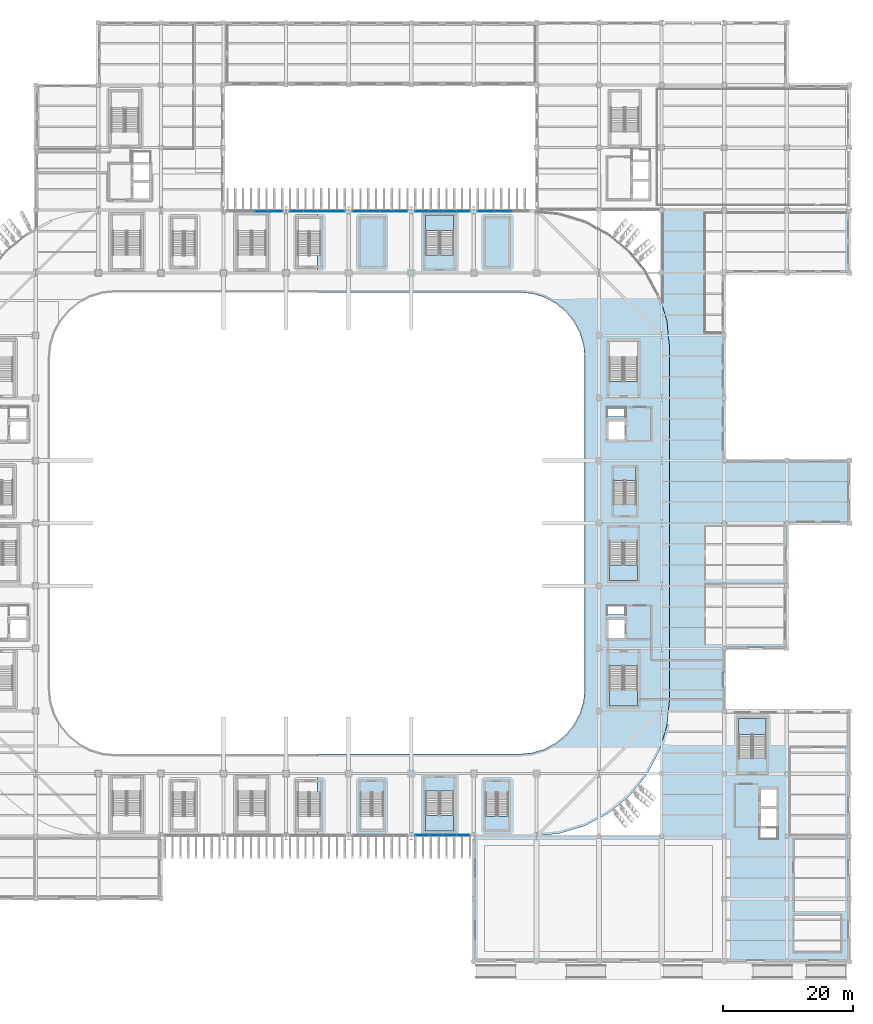
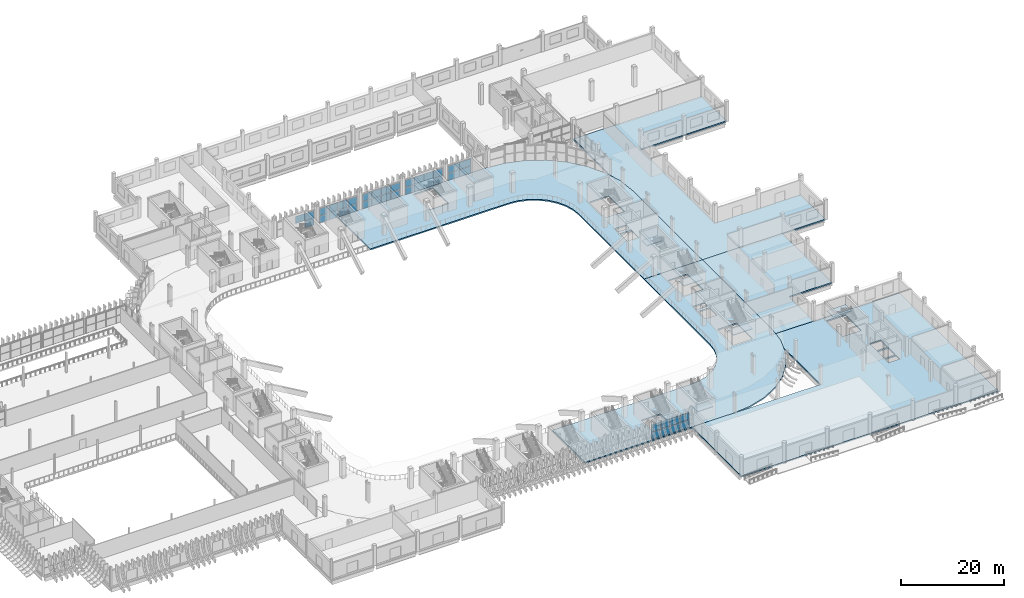
# One storey, part 43 of 100: 39 plates, 12 slabs, 13 elements without a shape of their own.
"""IFC4 building model written with IfcOpenShell, lengths in metres."""

from ifc_helpers import new_model, si_unit, direction, frame, origin, origin_2d, place, context, subcontext, project, spatial, polyline, rectangle, outline, extrude, material, layer, layer_set, type_object, element, aggregate, save


model = new_model("IFC4")

# Units and contexts
model_context = context("Model", 3, precision=1e-05, world=origin(), true_north=direction((0.0, 1.0)))
body_context = subcontext(model_context, "Body", "Model", "MODEL_VIEW")
ifc_project = project(units=[si_unit("LENGTHUNIT", "METRE"), si_unit("AREAUNIT", "SQUARE_METRE"), si_unit("VOLUMEUNIT", "CUBIC_METRE"), si_unit("PLANEANGLEUNIT", "RADIAN"), si_unit("MASSUNIT", "GRAM", prefix="KILO")], contexts=[model_context])

# Site, building, storey
site_placement = place(None, origin())
site = spatial("IfcSite", under=ifc_project, at=site_placement, CompositionType="ELEMENT")
building_placement = place(site_placement, origin())
building = spatial("IfcBuilding", under=site, at=building_placement, Name="Caelomonte Colonnade Arena", CompositionType="ELEMENT")
storey_placement = place(building_placement, origin())
storey = spatial("IfcBuildingStorey", under=building, at=storey_placement, Name="L00", CompositionType="ELEMENT", Elevation=0.0)

# Curtain wall, plates
ifc_material_1 = material(Name="Bronze anodised aluminium and low-E glazing", Category="aluminium")
ifc_layer_1 = layer(ifc_material_1, 0.179931640625)
ifc_layer_set_1 = layer_set([ifc_layer_1], Name="Bronze anodised aluminium and low-E glazing")
curtain_wall_type_1 = type_object("IfcCurtainWallType", Name="ENV-CW-CW-L00-96-36", PredefinedType="USERDEFINED", material=ifc_layer_set_1)
curtain_wall_1_placement = place(storey_placement, origin())
curtain_wall_1 = element("IfcCurtainWall", 1, at=curtain_wall_1_placement, inside=storey, type_object=curtain_wall_type_1, Name="L00 unitized curtain wall CW-L00-1296-0194", ObjectType="UNITIZED CURTAIN WALL", PredefinedType="USERDEFINED")
ifc_material_2 = material(Name="Solar-control bronze low-E double glazing", Category="glass")
ifc_layer_2 = layer(ifc_material_2, 0.028076171875)
ifc_layer_set_2 = layer_set([ifc_layer_2], Name="Solar-control bronze low-E double glazing")
plate_type = type_object("IfcPlateType", Name="ENV-CW-PAN28", PredefinedType="CURTAIN_PANEL", material=ifc_layer_set_2)
plate_1_placement = place(storey_placement, frame((126.423095703125, 19.3798828125, 0.06982421875), z_axis=(0.0, 0.0, 1.0), x_axis=(1.0, 0.0, 0.0)))
plate_1 = element("IfcPlate", 2, at=plate_1_placement, type_object=plate_type, Name="CW-L00-96-36 panel 1.1", PredefinedType="CURTAIN_PANEL", context=body_context, shape_type="SweptSolid", body=[
    extrude(rectangle(XDim=2.024658203125, YDim=0.028076171875, at=origin_2d()), origin(), (0.0, 0.0, 1.0), 1.681396484375),
])
plate_2_placement = place(storey_placement, frame((126.423095703125, 19.3798828125, 1.82177734375), z_axis=(0.0, 0.0, 1.0), x_axis=(1.0, 0.0, 0.0)))
plate_2 = element("IfcPlate", 3, at=plate_2_placement, type_object=plate_type, Name="CW-L00-96-36 panel 1.2", PredefinedType="CURTAIN_PANEL", context=body_context, shape_type="SweptSolid", body=[
    extrude(rectangle(XDim=2.024658203125, YDim=0.028076171875, at=origin_2d()), origin(), (0.0, 0.0, 1.0), 1.681396484375),
])
plate_3_placement = place(storey_placement, frame((128.53515625, 19.3798828125, 0.06982421875), z_axis=(0.0, 0.0, 1.0), x_axis=(1.0, 0.0, 0.0)))
plate_3 = element("IfcPlate", 4, at=plate_3_placement, type_object=plate_type, Name="CW-L00-96-36 panel 2.1", PredefinedType="CURTAIN_PANEL", context=body_context, shape_type="SweptSolid", body=[
    extrude(rectangle(XDim=2.0595703125, YDim=0.028076171875, at=origin_2d()), origin(), (0.0, 0.0, 1.0), 1.681396484375),
])
plate_4_placement = place(storey_placement, frame((128.53515625, 19.3798828125, 1.82177734375), z_axis=(0.0, 0.0, 1.0), x_axis=(1.0, 0.0, 0.0)))
plate_4 = element("IfcPlate", 5, at=plate_4_placement, type_object=plate_type, Name="CW-L00-96-36 panel 2.2", PredefinedType="CURTAIN_PANEL", context=body_context, shape_type="SweptSolid", body=[
    extrude(rectangle(XDim=2.0595703125, YDim=0.028076171875, at=origin_2d()), origin(), (0.0, 0.0, 1.0), 1.681396484375),
])
plate_5_placement = place(storey_placement, frame((130.664794921875, 19.3798828125, 0.06982421875), z_axis=(0.0, 0.0, 1.0), x_axis=(1.0, 0.0, 0.0)))
plate_5 = element("IfcPlate", 6, at=plate_5_placement, type_object=plate_type, Name="CW-L00-96-36 panel 3.1", PredefinedType="CURTAIN_PANEL", context=body_context, shape_type="SweptSolid", body=[
    extrude(rectangle(XDim=2.0595703125, YDim=0.028076171875, at=origin_2d()), origin(), (0.0, 0.0, 1.0), 1.681396484375),
])
plate_6_placement = place(storey_placement, frame((130.664794921875, 19.3798828125, 1.82177734375), z_axis=(0.0, 0.0, 1.0), x_axis=(1.0, 0.0, 0.0)))
plate_6 = element("IfcPlate", 7, at=plate_6_placement, type_object=plate_type, Name="CW-L00-96-36 panel 3.2", PredefinedType="CURTAIN_PANEL", context=body_context, shape_type="SweptSolid", body=[
    extrude(rectangle(XDim=2.0595703125, YDim=0.028076171875, at=origin_2d()), origin(), (0.0, 0.0, 1.0), 1.681396484375),
])
plate_7_placement = place(storey_placement, frame((132.77685546875, 19.3798828125, 0.06982421875), z_axis=(0.0, 0.0, 1.0), x_axis=(1.0, 0.0, 0.0)))
plate_7 = element("IfcPlate", 8, at=plate_7_placement, type_object=plate_type, Name="CW-L00-96-36 panel 4.1", PredefinedType="CURTAIN_PANEL", context=body_context, shape_type="SweptSolid", body=[
    extrude(rectangle(XDim=2.024658203125, YDim=0.028076171875, at=origin_2d()), origin(), (0.0, 0.0, 1.0), 1.681396484375),
])
plate_8_placement = place(storey_placement, frame((132.77685546875, 19.3798828125, 1.82177734375), z_axis=(0.0, 0.0, 1.0), x_axis=(1.0, 0.0, 0.0)))
plate_8 = element("IfcPlate", 9, at=plate_8_placement, type_object=plate_type, Name="CW-L00-96-36 panel 4.2", PredefinedType="CURTAIN_PANEL", context=body_context, shape_type="SweptSolid", body=[
    extrude(rectangle(XDim=2.024658203125, YDim=0.028076171875, at=origin_2d()), origin(), (0.0, 0.0, 1.0), 1.681396484375),
])
aggregate(curtain_wall_1, [plate_1, plate_2, plate_3, plate_4, plate_5, plate_6, plate_7, plate_8])

ifc_layer_3 = layer(ifc_material_1, 0.179931640625)
ifc_layer_set_3 = layer_set([ifc_layer_3], Name="Bronze anodised aluminium and low-E glazing")
curtain_wall_type_2 = type_object("IfcCurtainWallType", Name="ENV-CW-CW-L00-90-36", PredefinedType="USERDEFINED", material=ifc_layer_set_3)
curtain_wall_2_placement = place(storey_placement, origin())
curtain_wall_2 = element("IfcCurtainWall", 10, at=curtain_wall_2_placement, inside=storey, type_object=curtain_wall_type_2, Name="L00 unitized curtain wall CW-L00-1389-1150", ObjectType="UNITIZED CURTAIN WALL", PredefinedType="USERDEFINED")
plate_9_placement = place(storey_placement, frame((138.89990234375, 115.02001953125, 0.06982421875), z_axis=(0.0, 0.0, 1.0), x_axis=(-1.0, 0.0, 0.0)))
plate_9 = element("IfcPlate", 11, at=plate_9_placement, type_object=plate_type, Name="CW-L00-90-36 panel 2.1", PredefinedType="CURTAIN_PANEL", context=body_context, shape_type="SweptSolid", body=[
    extrude(rectangle(XDim=2.569580078125, YDim=0.028076171875, at=origin_2d()), origin(), (0.0, 0.0, 1.0), 1.681396484375),
])
plate_10_placement = place(storey_placement, frame((138.89990234375, 115.02001953125, 1.82177734375), z_axis=(0.0, 0.0, 1.0), x_axis=(-1.0, 0.0, 0.0)))
plate_10 = element("IfcPlate", 12, at=plate_10_placement, type_object=plate_type, Name="CW-L00-90-36 panel 2.2", PredefinedType="CURTAIN_PANEL", context=body_context, shape_type="SweptSolid", body=[
    extrude(rectangle(XDim=2.569580078125, YDim=0.028076171875, at=origin_2d()), origin(), (0.0, 0.0, 1.0), 1.681396484375),
])
plate_11_placement = place(storey_placement, frame((136.278076171875, 115.02001953125, 0.06982421875), z_axis=(0.0, 0.0, 1.0), x_axis=(-1.0, 0.0, 0.0)))
plate_11 = element("IfcPlate", 13, at=plate_11_placement, type_object=plate_type, Name="CW-L00-90-36 panel 3.1", PredefinedType="CURTAIN_PANEL", context=body_context, shape_type="SweptSolid", body=[
    extrude(rectangle(XDim=2.534423828125, YDim=0.028076171875, at=origin_2d()), origin(), (0.0, 0.0, 1.0), 1.681396484375),
])
plate_12_placement = place(storey_placement, frame((136.278076171875, 115.02001953125, 1.82177734375), z_axis=(0.0, 0.0, 1.0), x_axis=(-1.0, 0.0, 0.0)))
plate_12 = element("IfcPlate", 14, at=plate_12_placement, type_object=plate_type, Name="CW-L00-90-36 panel 3.2", PredefinedType="CURTAIN_PANEL", context=body_context, shape_type="SweptSolid", body=[
    extrude(rectangle(XDim=2.534423828125, YDim=0.028076171875, at=origin_2d()), origin(), (0.0, 0.0, 1.0), 1.681396484375),
])
aggregate(curtain_wall_2, [plate_9, plate_10, plate_11, plate_12])

curtain_wall_3_placement = place(storey_placement, origin())
curtain_wall_3 = element("IfcCurtainWall", 15, at=curtain_wall_3_placement, inside=storey, type_object=curtain_wall_type_1, Name="L00 unitized curtain wall CW-L00-1296-1150", ObjectType="UNITIZED CURTAIN WALL", PredefinedType="USERDEFINED")
plate_13_placement = place(storey_placement, frame((132.77685546875, 115.02001953125, 0.06982421875), z_axis=(0.0, 0.0, 1.0), x_axis=(-1.0, 0.0, 0.0)))
plate_13 = element("IfcPlate", 16, at=plate_13_placement, type_object=plate_type, Name="CW-L00-96-36 panel 1.1", PredefinedType="CURTAIN_PANEL", context=body_context, shape_type="SweptSolid", body=[
    extrude(rectangle(XDim=2.024658203125, YDim=0.028076171875, at=origin_2d()), origin(), (0.0, 0.0, 1.0), 1.681396484375),
])
plate_14_placement = place(storey_placement, frame((132.77685546875, 115.02001953125, 1.82177734375), z_axis=(0.0, 0.0, 1.0), x_axis=(-1.0, 0.0, 0.0)))
plate_14 = element("IfcPlate", 17, at=plate_14_placement, type_object=plate_type, Name="CW-L00-96-36 panel 1.2", PredefinedType="CURTAIN_PANEL", context=body_context, shape_type="SweptSolid", body=[
    extrude(rectangle(XDim=2.024658203125, YDim=0.028076171875, at=origin_2d()), origin(), (0.0, 0.0, 1.0), 1.681396484375),
])
plate_15_placement = place(storey_placement, frame((130.664794921875, 115.02001953125, 0.06982421875), z_axis=(0.0, 0.0, 1.0), x_axis=(-1.0, 0.0, 0.0)))
plate_15 = element("IfcPlate", 18, at=plate_15_placement, type_object=plate_type, Name="CW-L00-96-36 panel 2.1", PredefinedType="CURTAIN_PANEL", context=body_context, shape_type="SweptSolid", body=[
    extrude(rectangle(XDim=2.0595703125, YDim=0.028076171875, at=origin_2d()), origin(), (0.0, 0.0, 1.0), 1.681396484375),
])
plate_16_placement = place(storey_placement, frame((130.664794921875, 115.02001953125, 1.82177734375), z_axis=(0.0, 0.0, 1.0), x_axis=(-1.0, 0.0, 0.0)))
plate_16 = element("IfcPlate", 19, at=plate_16_placement, type_object=plate_type, Name="CW-L00-96-36 panel 2.2", PredefinedType="CURTAIN_PANEL", context=body_context, shape_type="SweptSolid", body=[
    extrude(rectangle(XDim=2.0595703125, YDim=0.028076171875, at=origin_2d()), origin(), (0.0, 0.0, 1.0), 1.681396484375),
])
plate_17_placement = place(storey_placement, frame((128.53515625, 115.02001953125, 0.06982421875), z_axis=(0.0, 0.0, 1.0), x_axis=(-1.0, 0.0, 0.0)))
plate_17 = element("IfcPlate", 20, at=plate_17_placement, type_object=plate_type, Name="CW-L00-96-36 panel 3.1", PredefinedType="CURTAIN_PANEL", context=body_context, shape_type="SweptSolid", body=[
    extrude(rectangle(XDim=2.0595703125, YDim=0.028076171875, at=origin_2d()), origin(), (0.0, 0.0, 1.0), 1.681396484375),
])
plate_18_placement = place(storey_placement, frame((128.53515625, 115.02001953125, 1.82177734375), z_axis=(0.0, 0.0, 1.0), x_axis=(-1.0, 0.0, 0.0)))
plate_18 = element("IfcPlate", 21, at=plate_18_placement, type_object=plate_type, Name="CW-L00-96-36 panel 3.2", PredefinedType="CURTAIN_PANEL", context=body_context, shape_type="SweptSolid", body=[
    extrude(rectangle(XDim=2.0595703125, YDim=0.028076171875, at=origin_2d()), origin(), (0.0, 0.0, 1.0), 1.681396484375),
])
plate_19_placement = place(storey_placement, frame((126.423095703125, 115.02001953125, 0.06982421875), z_axis=(0.0, 0.0, 1.0), x_axis=(-1.0, 0.0, 0.0)))
plate_19 = element("IfcPlate", 22, at=plate_19_placement, type_object=plate_type, Name="CW-L00-96-36 panel 4.1", PredefinedType="CURTAIN_PANEL", context=body_context, shape_type="SweptSolid", body=[
    extrude(rectangle(XDim=2.024658203125, YDim=0.028076171875, at=origin_2d()), origin(), (0.0, 0.0, 1.0), 1.681396484375),
])
plate_20_placement = place(storey_placement, frame((126.423095703125, 115.02001953125, 1.82177734375), z_axis=(0.0, 0.0, 1.0), x_axis=(-1.0, 0.0, 0.0)))
plate_20 = element("IfcPlate", 23, at=plate_20_placement, type_object=plate_type, Name="CW-L00-96-36 panel 4.2", PredefinedType="CURTAIN_PANEL", context=body_context, shape_type="SweptSolid", body=[
    extrude(rectangle(XDim=2.024658203125, YDim=0.028076171875, at=origin_2d()), origin(), (0.0, 0.0, 1.0), 1.681396484375),
])
aggregate(curtain_wall_3, [plate_13, plate_14, plate_15, plate_16, plate_17, plate_18, plate_19, plate_20])

curtain_wall_4_placement = place(storey_placement, origin())
curtain_wall_4 = element("IfcCurtainWall", 24, at=curtain_wall_4_placement, inside=storey, type_object=curtain_wall_type_1, Name="L00 unitized curtain wall CW-L00-1200-1150", ObjectType="UNITIZED CURTAIN WALL", PredefinedType="USERDEFINED")
plate_21_placement = place(storey_placement, frame((123.177001953125, 115.02001953125, 0.06982421875), z_axis=(0.0, 0.0, 1.0), x_axis=(-1.0, 0.0, 0.0)))
plate_21 = element("IfcPlate", 25, at=plate_21_placement, type_object=plate_type, Name="CW-L00-96-36 panel 1.1", PredefinedType="CURTAIN_PANEL", context=body_context, shape_type="SweptSolid", body=[
    extrude(rectangle(XDim=2.024658203125, YDim=0.028076171875, at=origin_2d()), origin(), (0.0, 0.0, 1.0), 1.681396484375),
])
plate_22_placement = place(storey_placement, frame((123.177001953125, 115.02001953125, 1.82177734375), z_axis=(0.0, 0.0, 1.0), x_axis=(-1.0, 0.0, 0.0)))
plate_22 = element("IfcPlate", 26, at=plate_22_placement, type_object=plate_type, Name="CW-L00-96-36 panel 1.2", PredefinedType="CURTAIN_PANEL", context=body_context, shape_type="SweptSolid", body=[
    extrude(rectangle(XDim=2.024658203125, YDim=0.028076171875, at=origin_2d()), origin(), (0.0, 0.0, 1.0), 1.681396484375),
])
plate_23_placement = place(storey_placement, frame((121.06494140625, 115.02001953125, 0.06982421875), z_axis=(0.0, 0.0, 1.0), x_axis=(-1.0, 0.0, 0.0)))
plate_23 = element("IfcPlate", 27, at=plate_23_placement, type_object=plate_type, Name="CW-L00-96-36 panel 2.1", PredefinedType="CURTAIN_PANEL", context=body_context, shape_type="SweptSolid", body=[
    extrude(rectangle(XDim=2.0595703125, YDim=0.028076171875, at=origin_2d()), origin(), (0.0, 0.0, 1.0), 1.681396484375),
])
plate_24_placement = place(storey_placement, frame((121.06494140625, 115.02001953125, 1.82177734375), z_axis=(0.0, 0.0, 1.0), x_axis=(-1.0, 0.0, 0.0)))
plate_24 = element("IfcPlate", 28, at=plate_24_placement, type_object=plate_type, Name="CW-L00-96-36 panel 2.2", PredefinedType="CURTAIN_PANEL", context=body_context, shape_type="SweptSolid", body=[
    extrude(rectangle(XDim=2.0595703125, YDim=0.028076171875, at=origin_2d()), origin(), (0.0, 0.0, 1.0), 1.681396484375),
])
plate_25_placement = place(storey_placement, frame((118.93505859375, 115.02001953125, 0.06982421875), z_axis=(0.0, 0.0, 1.0), x_axis=(-1.0, 0.0, 0.0)))
plate_25 = element("IfcPlate", 29, at=plate_25_placement, type_object=plate_type, Name="CW-L00-96-36 panel 3.1", PredefinedType="CURTAIN_PANEL", context=body_context, shape_type="SweptSolid", body=[
    extrude(rectangle(XDim=2.0595703125, YDim=0.028076171875, at=origin_2d()), origin(), (0.0, 0.0, 1.0), 1.681396484375),
])
plate_26_placement = place(storey_placement, frame((118.93505859375, 115.02001953125, 1.82177734375), z_axis=(0.0, 0.0, 1.0), x_axis=(-1.0, 0.0, 0.0)))
plate_26 = element("IfcPlate", 30, at=plate_26_placement, type_object=plate_type, Name="CW-L00-96-36 panel 3.2", PredefinedType="CURTAIN_PANEL", context=body_context, shape_type="SweptSolid", body=[
    extrude(rectangle(XDim=2.0595703125, YDim=0.028076171875, at=origin_2d()), origin(), (0.0, 0.0, 1.0), 1.681396484375),
])
plate_27_placement = place(storey_placement, frame((116.822998046875, 115.02001953125, 0.06982421875), z_axis=(0.0, 0.0, 1.0), x_axis=(-1.0, 0.0, 0.0)))
plate_27 = element("IfcPlate", 31, at=plate_27_placement, type_object=plate_type, Name="CW-L00-96-36 panel 4.1", PredefinedType="CURTAIN_PANEL", context=body_context, shape_type="SweptSolid", body=[
    extrude(rectangle(XDim=2.024658203125, YDim=0.028076171875, at=origin_2d()), origin(), (0.0, 0.0, 1.0), 1.681396484375),
])
plate_28_placement = place(storey_placement, frame((116.822998046875, 115.02001953125, 1.82177734375), z_axis=(0.0, 0.0, 1.0), x_axis=(-1.0, 0.0, 0.0)))
plate_28 = element("IfcPlate", 32, at=plate_28_placement, type_object=plate_type, Name="CW-L00-96-36 panel 4.2", PredefinedType="CURTAIN_PANEL", context=body_context, shape_type="SweptSolid", body=[
    extrude(rectangle(XDim=2.024658203125, YDim=0.028076171875, at=origin_2d()), origin(), (0.0, 0.0, 1.0), 1.681396484375),
])
aggregate(curtain_wall_4, [plate_21, plate_22, plate_23, plate_24, plate_25, plate_26, plate_27, plate_28])

curtain_wall_5_placement = place(storey_placement, origin())
curtain_wall_5 = element("IfcCurtainWall", 33, at=curtain_wall_5_placement, inside=storey, type_object=curtain_wall_type_1, Name="L00 unitized curtain wall CW-L00-1104-1150", ObjectType="UNITIZED CURTAIN WALL", PredefinedType="USERDEFINED")
plate_29_placement = place(storey_placement, frame((113.576904296875, 115.02001953125, 0.06982421875), z_axis=(0.0, 0.0, 1.0), x_axis=(-1.0, 0.0, 0.0)))
plate_29 = element("IfcPlate", 34, at=plate_29_placement, type_object=plate_type, Name="CW-L00-96-36 panel 1.1", PredefinedType="CURTAIN_PANEL", context=body_context, shape_type="SweptSolid", body=[
    extrude(rectangle(XDim=2.024658203125, YDim=0.028076171875, at=origin_2d()), origin(), (0.0, 0.0, 1.0), 1.681396484375),
])
plate_30_placement = place(storey_placement, frame((113.576904296875, 115.02001953125, 1.82177734375), z_axis=(0.0, 0.0, 1.0), x_axis=(-1.0, 0.0, 0.0)))
plate_30 = element("IfcPlate", 35, at=plate_30_placement, type_object=plate_type, Name="CW-L00-96-36 panel 1.2", PredefinedType="CURTAIN_PANEL", context=body_context, shape_type="SweptSolid", body=[
    extrude(rectangle(XDim=2.024658203125, YDim=0.028076171875, at=origin_2d()), origin(), (0.0, 0.0, 1.0), 1.681396484375),
])
plate_31_placement = place(storey_placement, frame((111.46484375, 115.02001953125, 0.06982421875), z_axis=(0.0, 0.0, 1.0), x_axis=(-1.0, 0.0, 0.0)))
plate_31 = element("IfcPlate", 36, at=plate_31_placement, type_object=plate_type, Name="CW-L00-96-36 panel 2.1", PredefinedType="CURTAIN_PANEL", context=body_context, shape_type="SweptSolid", body=[
    extrude(rectangle(XDim=2.0595703125, YDim=0.028076171875, at=origin_2d()), origin(), (0.0, 0.0, 1.0), 1.681396484375),
])
plate_32_placement = place(storey_placement, frame((111.46484375, 115.02001953125, 1.82177734375), z_axis=(0.0, 0.0, 1.0), x_axis=(-1.0, 0.0, 0.0)))
plate_32 = element("IfcPlate", 37, at=plate_32_placement, type_object=plate_type, Name="CW-L00-96-36 panel 2.2", PredefinedType="CURTAIN_PANEL", context=body_context, shape_type="SweptSolid", body=[
    extrude(rectangle(XDim=2.0595703125, YDim=0.028076171875, at=origin_2d()), origin(), (0.0, 0.0, 1.0), 1.681396484375),
])
plate_33_placement = place(storey_placement, frame((109.335205078125, 115.02001953125, 0.06982421875), z_axis=(0.0, 0.0, 1.0), x_axis=(-1.0, 0.0, 0.0)))
plate_33 = element("IfcPlate", 38, at=plate_33_placement, type_object=plate_type, Name="CW-L00-96-36 panel 3.1", PredefinedType="CURTAIN_PANEL", context=body_context, shape_type="SweptSolid", body=[
    extrude(rectangle(XDim=2.0595703125, YDim=0.028076171875, at=origin_2d()), origin(), (0.0, 0.0, 1.0), 1.681396484375),
])
plate_34_placement = place(storey_placement, frame((109.335205078125, 115.02001953125, 1.82177734375), z_axis=(0.0, 0.0, 1.0), x_axis=(-1.0, 0.0, 0.0)))
plate_34 = element("IfcPlate", 39, at=plate_34_placement, type_object=plate_type, Name="CW-L00-96-36 panel 3.2", PredefinedType="CURTAIN_PANEL", context=body_context, shape_type="SweptSolid", body=[
    extrude(rectangle(XDim=2.0595703125, YDim=0.028076171875, at=origin_2d()), origin(), (0.0, 0.0, 1.0), 1.681396484375),
])
plate_35_placement = place(storey_placement, frame((107.22314453125, 115.02001953125, 0.06982421875), z_axis=(0.0, 0.0, 1.0), x_axis=(-1.0, 0.0, 0.0)))
plate_35 = element("IfcPlate", 40, at=plate_35_placement, type_object=plate_type, Name="CW-L00-96-36 panel 4.1", PredefinedType="CURTAIN_PANEL", context=body_context, shape_type="SweptSolid", body=[
    extrude(rectangle(XDim=2.024658203125, YDim=0.028076171875, at=origin_2d()), origin(), (0.0, 0.0, 1.0), 1.681396484375),
])
plate_36_placement = place(storey_placement, frame((107.22314453125, 115.02001953125, 1.82177734375), z_axis=(0.0, 0.0, 1.0), x_axis=(-1.0, 0.0, 0.0)))
plate_36 = element("IfcPlate", 41, at=plate_36_placement, type_object=plate_type, Name="CW-L00-96-36 panel 4.2", PredefinedType="CURTAIN_PANEL", context=body_context, shape_type="SweptSolid", body=[
    extrude(rectangle(XDim=2.024658203125, YDim=0.028076171875, at=origin_2d()), origin(), (0.0, 0.0, 1.0), 1.681396484375),
])
aggregate(curtain_wall_5, [plate_29, plate_30, plate_31, plate_32, plate_33, plate_34, plate_35, plate_36])

curtain_wall_6_placement = place(storey_placement, origin())
curtain_wall_6 = element("IfcCurtainWall", 42, at=curtain_wall_6_placement, inside=storey, type_object=curtain_wall_type_1, Name="L00 unitized curtain wall CW-L00-1008-1150", ObjectType="UNITIZED CURTAIN WALL", PredefinedType="USERDEFINED")
plate_37_placement = place(storey_placement, frame((103.97705078125, 115.02001953125, 0.06982421875), z_axis=(0.0, 0.0, 1.0), x_axis=(-1.0, 0.0, 0.0)))
plate_37 = element("IfcPlate", 43, at=plate_37_placement, type_object=plate_type, Name="CW-L00-96-36 panel 1.1", PredefinedType="CURTAIN_PANEL", context=body_context, shape_type="SweptSolid", body=[
    extrude(rectangle(XDim=2.024658203125, YDim=0.028076171875, at=origin_2d()), origin(), (0.0, 0.0, 1.0), 1.681396484375),
])
plate_38_placement = place(storey_placement, frame((103.97705078125, 115.02001953125, 1.82177734375), z_axis=(0.0, 0.0, 1.0), x_axis=(-1.0, 0.0, 0.0)))
plate_38 = element("IfcPlate", 44, at=plate_38_placement, type_object=plate_type, Name="CW-L00-96-36 panel 1.2", PredefinedType="CURTAIN_PANEL", context=body_context, shape_type="SweptSolid", body=[
    extrude(rectangle(XDim=2.024658203125, YDim=0.028076171875, at=origin_2d()), origin(), (0.0, 0.0, 1.0), 1.681396484375),
])
plate_39_placement = place(storey_placement, frame((101.86474609375, 115.02001953125, 1.82177734375), z_axis=(0.0, 0.0, 1.0), x_axis=(-1.0, 0.0, 0.0)))
plate_39 = element("IfcPlate", 45, at=plate_39_placement, type_object=plate_type, Name="CW-L00-96-36 panel 2.2", PredefinedType="CURTAIN_PANEL", context=body_context, shape_type="SweptSolid", body=[
    extrude(rectangle(XDim=2.0595703125, YDim=0.028076171875, at=origin_2d()), origin(), (0.0, 0.0, 1.0), 1.681396484375),
])
aggregate(curtain_wall_6, [plate_37, plate_38, plate_39])

# Stair, slab
ifc_material_3 = material(Name="Concrete C40/50", Category="concrete")
stair_type_1 = type_object("IfcStairType", Name="INT-ST-WING48", PredefinedType="HALF_TURN_STAIR", material=ifc_material_3)
stair_1_placement = place(storey_placement, origin())
stair_1 = element("IfcStair", 46, at=stair_1_placement, inside=storey, type_object=stair_type_1, Name="L00 Core C2 exit stair ST-02", PredefinedType="HALF_TURN_STAIR")
ifc_layer_4 = layer(ifc_material_3, 0.199951171875)
ifc_layer_set_4 = layer_set([ifc_layer_4], Name="Concrete C40/50")
slab_type_1 = type_object("IfcSlabType", Name="INT-SL-LAND20", PredefinedType="LANDING", material=ifc_layer_set_4)
slab_1_placement = place(storey_placement, frame((0.0, 0.0, 2.199951171875)))
slab_1 = element("IfcSlab", 47, at=slab_1_placement, type_object=slab_type_1, Name="ST-02 landing 1", PredefinedType="LANDING", context=body_context, shape_type="SweptSolid", body=[
    extrude(outline(polyline([(155.199951171875, 41.594970703125), (155.199951171875, 39.199951171875), (159.5, 39.199951171875), (159.5, 41.594970703125), (155.199951171875, 41.594970703125)])), origin(), (0.0, 0.0, 1.0), 0.199951171875),
])
aggregate(stair_1, [slab_1])

stair_2_placement = place(storey_placement, origin())
stair_2 = element("IfcStair", 48, at=stair_2_placement, inside=storey, type_object=stair_type_1, Name="L00 Core C5 exit stair ST-05", PredefinedType="HALF_TURN_STAIR")
slab_2_placement = place(storey_placement, frame((0.0, 0.0, 2.199951171875)))
slab_2 = element("IfcSlab", 49, at=slab_2_placement, type_object=slab_type_1, Name="ST-05 landing 1", PredefinedType="LANDING", context=body_context, shape_type="SweptSolid", body=[
    extrude(outline(polyline([(179.199951171875, 34.804931640625), (179.199951171875, 37.25), (175.0, 37.25), (175.0, 34.804931640625), (179.199951171875, 34.804931640625)])), origin(), (0.0, 0.0, 1.0), 0.199951171875),
])
aggregate(stair_2, [slab_2])

stair_type_2 = type_object("IfcStairType", Name="INT-ST-CORE48", PredefinedType="HALF_TURN_STAIR", material=ifc_material_3)
stair_3_placement = place(storey_placement, origin())
stair_3 = element("IfcStair", 50, at=stair_3_placement, inside=storey, type_object=stair_type_2, Name="L00 Protected exit stair ST-10", PredefinedType="HALF_TURN_STAIR")
slab_3_placement = place(storey_placement, frame((0.0, 0.0, 2.199951171875)))
slab_3 = element("IfcSlab", 51, at=slab_3_placement, type_object=slab_type_1, Name="ST-10 landing 1", PredefinedType="LANDING", context=body_context, shape_type="SweptSolid", body=[
    extrude(outline(polyline([(155.199951171875, 60.794921875), (155.199951171875, 58.39990234375), (159.5, 58.39990234375), (159.5, 60.794921875), (155.199951171875, 60.794921875)])), origin(), (0.0, 0.0, 1.0), 0.199951171875),
])
aggregate(stair_3, [slab_3])

stair_4_placement = place(storey_placement, origin())
stair_4 = element("IfcStair", 52, at=stair_4_placement, inside=storey, type_object=stair_type_2, Name="L00 Protected exit stair ST-13", PredefinedType="HALF_TURN_STAIR")
slab_4_placement = place(storey_placement, frame((0.0, 0.0, 2.199951171875)))
slab_4 = element("IfcSlab", 53, at=slab_4_placement, type_object=slab_type_1, Name="ST-13 landing 1", PredefinedType="LANDING", context=body_context, shape_type="SweptSolid", body=[
    extrude(outline(polyline([(127.0, 22.39501953125), (127.0, 20.0), (131.300048828125, 20.0), (131.300048828125, 22.39501953125), (127.0, 22.39501953125)])), origin(), (0.0, 0.0, 1.0), 0.199951171875),
])
aggregate(stair_4, [slab_4])

stair_5_placement = place(storey_placement, origin())
stair_5 = element("IfcStair", 54, at=stair_5_placement, inside=storey, type_object=stair_type_2, Name="L00 Protected exit stair ST-16", PredefinedType="HALF_TURN_STAIR")
slab_5_placement = place(storey_placement, frame((0.0, 0.0, 2.199951171875)))
slab_5 = element("IfcSlab", 55, at=slab_5_placement, type_object=slab_type_1, Name="ST-16 landing 1", PredefinedType="LANDING", context=body_context, shape_type="SweptSolid", body=[
    extrude(outline(polyline([(131.300048828125, 112.054931640625), (131.300048828125, 114.449951171875), (127.0, 114.449951171875), (127.0, 112.054931640625), (131.300048828125, 112.054931640625)])), origin(), (0.0, 0.0, 1.0), 0.199951171875),
])
aggregate(stair_5, [slab_5])

ifc_material_4 = material(Name="Precast concrete C40/50", Category="concrete")
stair_type_3 = type_object("IfcStairType", Name="INT-ST-VOML", PredefinedType="HALF_TURN_STAIR", material=ifc_material_4)
stair_6_placement = place(storey_placement, origin())
stair_6 = element("IfcStair", 56, at=stair_6_placement, inside=storey, type_object=stair_type_3, Name="L00 Vomitory VOM-04 aisle stair ST-V04", PredefinedType="HALF_TURN_STAIR")
slab_6_placement = place(storey_placement, frame((0.0, 0.0, 2.199951171875)))
slab_6 = element("IfcSlab", 57, at=slab_6_placement, type_object=slab_type_1, Name="ST-V04 landing 1", PredefinedType="LANDING", context=body_context, shape_type="SweptSolid", body=[
    extrude(outline(polyline([(136.199951171875, 22.2451171875), (136.199951171875, 20.199951171875), (139.699951171875, 20.199951171875), (139.699951171875, 22.2451171875), (136.199951171875, 22.2451171875)])), origin(), (0.0, 0.0, 1.0), 0.199951171875),
])
aggregate(stair_6, [slab_6])

stair_7_placement = place(storey_placement, origin())
stair_7 = element("IfcStair", 58, at=stair_7_placement, inside=storey, type_object=stair_type_3, Name="L00 Vomitory VOM-08 aisle stair ST-V08", PredefinedType="HALF_TURN_STAIR")
slab_7_placement = place(storey_placement, frame((0.0, 0.0, 2.199951171875)))
slab_7 = element("IfcSlab", 59, at=slab_7_placement, type_object=slab_type_1, Name="ST-V08 landing 1", PredefinedType="LANDING", context=body_context, shape_type="SweptSolid", body=[
    extrude(outline(polyline([(159.300048828125, 73.7548828125), (159.300048828125, 75.800048828125), (155.800048828125, 75.800048828125), (155.800048828125, 73.7548828125), (159.300048828125, 73.7548828125)])), origin(), (0.0, 0.0, 1.0), 0.199951171875),
])
aggregate(stair_7, [slab_7])

# Slabs
ifc_layer_5 = layer(ifc_material_3, 0.300048828125)
ifc_layer_set_5 = layer_set([ifc_layer_5], Name="Concrete C40/50")
slab_type_2 = type_object("IfcSlabType", Name="STR-SL-FLR30", PredefinedType="FLOOR", material=ifc_layer_set_5)
slab_8_placement = place(storey_placement, frame((0.0, 0.0, -0.300048828125)))
element("IfcSlab", 60, at=slab_8_placement, inside=storey, type_object=slab_type_2, Name="L00 structural floor slab SL-L00-V1-SE", PredefinedType="FLOOR", context=body_context, shape_type="SweptSolid", body=[
    extrude(outline(polyline([(164.39990234375, 40.199951171875), (164.39990234375, 67.199951171875), (151.39990234375, 67.199951171875), (151.39990234375, 41.800048828125), (151.2080078125, 39.84912109375), (150.638916015625, 37.97314453125), (149.714599609375, 36.244384765625), (148.47119140625, 34.72900390625), (146.955810546875, 33.4853515625), (145.226806640625, 32.561279296875), (143.350830078125, 31.9921875), (141.39990234375, 31.800048828125), (110.39990234375, 31.800048828125), (110.39990234375, 19.199951171875), (143.39990234375, 19.199951171875), (147.496826171875, 19.603515625), (151.436279296875, 20.798583984375), (155.06689453125, 22.739013671875), (158.249267578125, 25.350830078125), (160.86083984375, 28.532958984375), (162.801513671875, 32.16357421875), (163.99658203125, 36.10302734375), (164.39990234375, 40.199951171875)]), holes=[polyline([(131.300048828125, 26.10009765625), (131.300048828125, 20.0), (127.0, 20.0), (127.0, 26.10009765625), (131.300048828125, 26.10009765625)]), polyline([(159.5, 39.199951171875), (155.199951171875, 39.199951171875), (155.199951171875, 45.300048828125), (159.5, 45.300048828125), (159.5, 39.199951171875)]), polyline([(154.97998046875, 52.419921875), (157.52001953125, 52.419921875), (157.52001953125, 49.580078125), (154.97998046875, 49.580078125), (154.97998046875, 52.419921875)]), polyline([(154.97998046875, 53.179931640625), (154.97998046875, 54.419921875), (157.52001953125, 54.419921875), (157.52001953125, 53.179931640625), (154.97998046875, 53.179931640625)]), polyline([(159.5, 64.5), (159.5, 58.39990234375), (155.199951171875, 58.39990234375), (155.199951171875, 64.5), (159.5, 64.5)])]), origin(), (0.0, 0.0, 1.0), 0.300048828125),
])
slab_9_placement = place(storey_placement, frame((0.0, 0.0, -0.300048828125)))
element("IfcSlab", 61, at=slab_9_placement, inside=storey, type_object=slab_type_2, Name="L00 structural floor slab SL-L00-V1-NE", PredefinedType="FLOOR", context=body_context, shape_type="SweptSolid", body=[
    extrude(outline(polyline([(143.39990234375, 115.199951171875), (110.39990234375, 115.199951171875), (110.39990234375, 102.60009765625), (141.39990234375, 102.60009765625), (143.350830078125, 102.407958984375), (145.226806640625, 101.8388671875), (146.955810546875, 100.914794921875), (148.47119140625, 99.671142578125), (149.714599609375, 98.15576171875), (150.638916015625, 96.4267578125), (151.2080078125, 94.55078125), (151.39990234375, 92.60009765625), (151.39990234375, 67.199951171875), (164.39990234375, 67.199951171875), (164.39990234375, 94.199951171875), (163.99658203125, 98.296875), (162.801513671875, 102.236328125), (160.86083984375, 105.866943359375), (158.249267578125, 109.04931640625), (155.06689453125, 111.660888671875), (151.436279296875, 113.6015625), (147.496826171875, 114.79638671875), (143.39990234375, 115.199951171875)]), holes=[polyline([(154.97998046875, 79.97998046875), (154.97998046875, 82.820068359375), (157.52001953125, 82.820068359375), (157.52001953125, 79.97998046875), (154.97998046875, 79.97998046875)]), polyline([(154.97998046875, 84.820068359375), (157.52001953125, 84.820068359375), (157.52001953125, 83.580078125), (154.97998046875, 83.580078125), (154.97998046875, 84.820068359375)]), polyline([(155.199951171875, 95.050048828125), (159.5, 95.050048828125), (159.5, 88.949951171875), (155.199951171875, 88.949951171875), (155.199951171875, 95.050048828125)]), polyline([(127.0, 108.35009765625), (127.0, 114.449951171875), (131.300048828125, 114.449951171875), (131.300048828125, 108.35009765625), (127.0, 108.35009765625)])]), origin(), (0.0, 0.0, 1.0), 0.300048828125),
])
slab_10_placement = place(storey_placement, frame((0.0, 0.0, -0.300048828125)))
element("IfcSlab", 62, at=slab_10_placement, inside=storey, type_object=slab_type_2, Name="L00 structural floor slab SL-L00-V3", PredefinedType="FLOOR", context=body_context, shape_type="SweptSolid", body=[
    extrude(outline(polyline([(134.39990234375, 0.0), (192.0, 0.0), (192.0, 19.199951171875), (192.0, 38.39990234375), (164.22265625, 38.39990234375), (163.99658203125, 36.10302734375), (163.199951171875, 33.477294921875), (163.199951171875, 19.199951171875), (143.39990234375, 19.199951171875), (134.39990234375, 19.199951171875), (134.39990234375, 0.0)]), holes=[polyline([(178.3798828125, 18.97998046875), (178.3798828125, 20.419921875), (180.820068359375, 20.419921875), (180.820068359375, 18.97998046875), (178.3798828125, 18.97998046875)]), polyline([(178.3798828125, 20.780029296875), (178.3798828125, 23.419921875), (180.820068359375, 23.419921875), (180.820068359375, 20.780029296875), (178.3798828125, 20.780029296875)]), polyline([(178.3798828125, 23.780029296875), (178.3798828125, 26.419921875), (180.820068359375, 26.419921875), (180.820068359375, 23.780029296875), (178.3798828125, 23.780029296875)]), polyline([(175.0, 31.10009765625), (175.0, 37.25), (179.199951171875, 37.25), (179.199951171875, 31.10009765625), (175.0, 31.10009765625)])]), origin(), (0.0, 0.0, 1.0), 0.300048828125),
])
slab_11_placement = place(storey_placement, frame((0.0, 0.0, -0.300048828125)))
element("IfcSlab", 63, at=slab_11_placement, inside=storey, type_object=slab_type_2, Name="L00 structural floor slab SL-L00-V4-E", PredefinedType="FLOOR", context=body_context, shape_type="SweptSolid", body=[
    extrude(outline(polyline([(164.39990234375, 67.199951171875), (192.0, 67.199951171875), (192.0, 76.800048828125), (172.800048828125, 76.800048828125), (172.800048828125, 105.60009765625), (192.0, 105.60009765625), (192.0, 115.199951171875), (163.199951171875, 115.199951171875), (163.199951171875, 100.922607421875), (163.99658203125, 98.296875), (164.39990234375, 94.199951171875), (164.39990234375, 67.199951171875)])), origin(), (0.0, 0.0, 1.0), 0.300048828125),
])
slab_12_placement = place(storey_placement, frame((0.0, 0.0, -0.300048828125)))
element("IfcSlab", 64, at=slab_12_placement, inside=storey, type_object=slab_type_2, Name="L00 structural floor slab SL-L00-V4-LINK", PredefinedType="FLOOR", context=body_context, shape_type="SweptSolid", body=[
    extrude(outline(polyline([(182.39990234375, 67.199951171875), (164.39990234375, 67.199951171875), (164.39990234375, 40.199951171875), (164.22265625, 38.39990234375), (172.800048828125, 38.39990234375), (172.800048828125, 48.0), (182.39990234375, 48.0), (182.39990234375, 67.199951171875)])), origin(), (0.0, 0.0, 1.0), 0.300048828125),
])

save(model, "model.ifc")
